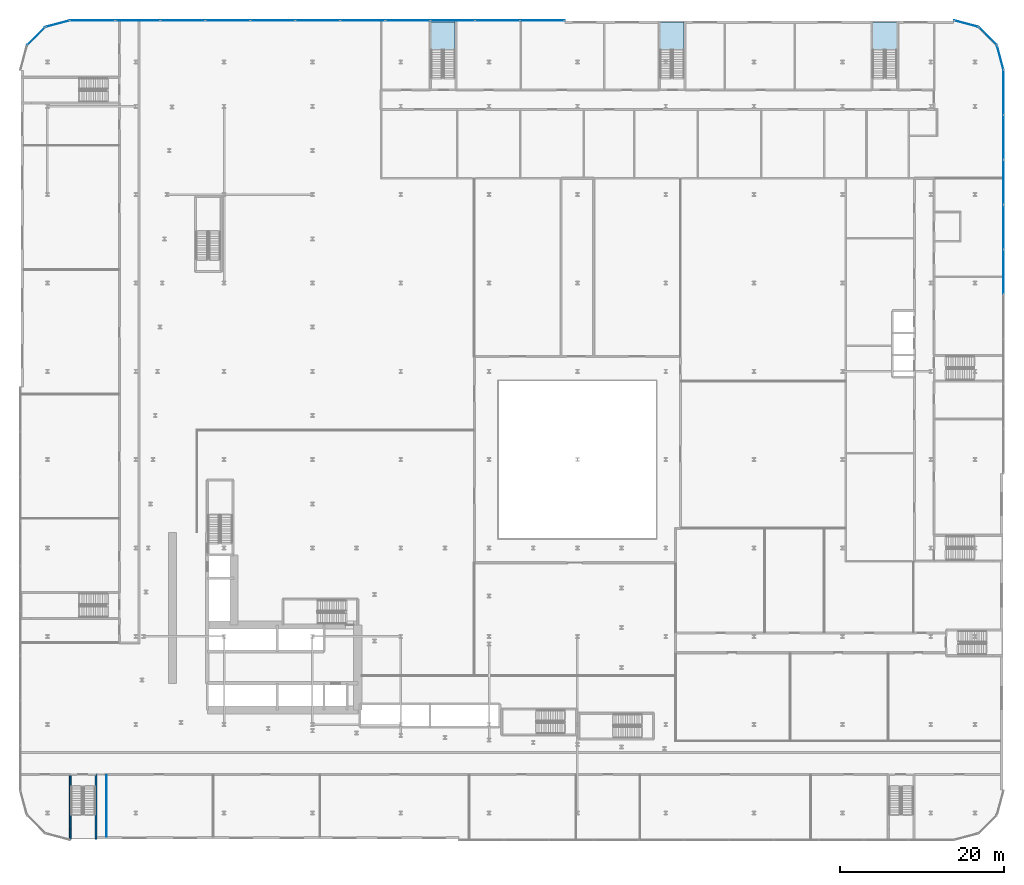
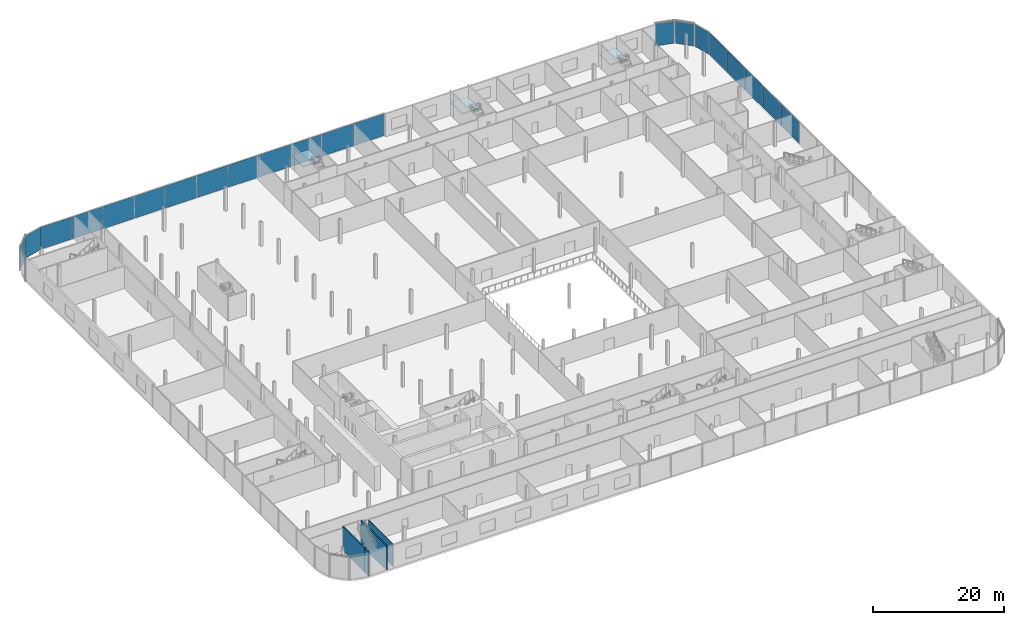
# One storey, part 25 of 47: 21 plates, 4 walls, 3 slabs, 10 elements without a shape of their own.
"""IFC4 building model written with IfcOpenShell, lengths in metres."""

from ifc_helpers import new_model, si_unit, direction, frame, frame_2d, origin, origin_2d, place, context, subcontext, project, spatial, polyline, rectangle, outline, extrude, material, layer, layer_set, type_object, element, aggregate, save


model = new_model("IFC4")

# Units and contexts
model_context = context("Model", 3, precision=1e-05, world=origin(), true_north=direction((0.0, 1.0)))
body_context = subcontext(model_context, "Body", "Model", "MODEL_VIEW")
ifc_project = project(units=[si_unit("LENGTHUNIT", "METRE"), si_unit("AREAUNIT", "SQUARE_METRE"), si_unit("VOLUMEUNIT", "CUBIC_METRE"), si_unit("PLANEANGLEUNIT", "RADIAN"), si_unit("MASSUNIT", "GRAM", prefix="KILO")], contexts=[model_context])

# Site, building, storey
site_placement = place(None, origin())
site = spatial("IfcSite", under=ifc_project, at=site_placement, CompositionType="ELEMENT")
building_placement = place(site_placement, origin())
building = spatial("IfcBuilding", under=site, at=building_placement, Name="Kheshtan School and Residences Tower", CompositionType="ELEMENT")
storey_placement = place(building_placement, frame((0.0, 0.0, 12.5)))
storey = spatial("IfcBuildingStorey", under=building, at=storey_placement, Name="L02", CompositionType="ELEMENT", Elevation=12.5)

# Curtain wall, plate
ifc_material_1 = material(Name="Clear low-e glass in thermally broken aluminium frame", Category="aluminium")
ifc_layer_1 = layer(ifc_material_1, 0.22509765625)
ifc_layer_set_1 = layer_set([ifc_layer_1], Name="Curtain wall CW-P")
curtain_wall_type = type_object("IfcCurtainWallType", Name="Curtain wall CW-P", PredefinedType="NOTDEFINED", material=ifc_layer_set_1)
curtain_wall_1_placement = place(storey_placement, origin())
curtain_wall_1 = element("IfcCurtainWall", 1, at=curtain_wall_1_placement, inside=storey, type_object=curtain_wall_type, Name="Curtain wall CWP2a", PredefinedType="NOTDEFINED")
ifc_layer_2 = layer(ifc_material_1, 0.035888671875)
ifc_layer_set_2 = layer_set([ifc_layer_2], Name="CW-P glass panel")
plate_type = type_object("IfcPlateType", Name="CW-P glass panel", PredefinedType="CURTAIN_PANEL", material=ifc_layer_set_2)
plate_1_placement = place(storey_placement, frame((13.831298828125, 108.168701171875, 0.0), z_axis=(0.0, 0.0, 1.0), x_axis=(0.707106781187, 0.707106781187, 0.0)))
plate_1 = element("IfcPlate", 2, at=plate_1_placement, type_object=plate_type, Name="CWP2a panel 1.1", PredefinedType="CURTAIN_PANEL", context=body_context, shape_type="SweptSolid", body=[
    extrude(rectangle(XDim=2.985595703125, YDim=0.035888671875, at=origin_2d()), origin(), (0.0, 0.0, 1.0), 4.110107421875),
])
aggregate(curtain_wall_1, [plate_1])

curtain_wall_2_placement = place(storey_placement, origin())
curtain_wall_2 = element("IfcCurtainWall", 3, at=curtain_wall_2_placement, inside=storey, type_object=curtain_wall_type, Name="Curtain wall CWP3a", PredefinedType="NOTDEFINED")
plate_2_placement = place(storey_placement, frame((16.47412109375, 109.694580078125, 0.0), z_axis=(0.0, 0.0, 1.0), x_axis=(0.965913556273, 0.258864833085, 0.0)))
plate_2 = element("IfcPlate", 4, at=plate_2_placement, type_object=plate_type, Name="CWP3a panel 1.1", PredefinedType="CURTAIN_PANEL", context=body_context, shape_type="SweptSolid", body=[
    extrude(rectangle(XDim=2.98583984375, YDim=0.035888671875, at=origin_2d()), origin(), (0.0, 0.0, 1.0), 4.110107421875),
])
aggregate(curtain_wall_2, [plate_2])

# Curtain wall, plates
curtain_wall_3_placement = place(storey_placement, origin())
curtain_wall_3 = element("IfcCurtainWall", 5, at=curtain_wall_3_placement, inside=storey, type_object=curtain_wall_type, Name="Curtain wall CWP4a", PredefinedType="NOTDEFINED")
plate_3_placement = place(storey_placement, frame((20.7216796875, 110.10009765625, 0.0), z_axis=(0.0, 0.0, 1.0), x_axis=(1.0, 0.0, 0.0)))
plate_3 = element("IfcPlate", 6, at=plate_3_placement, type_object=plate_type, Name="CWP4a panel 1.1", PredefinedType="CURTAIN_PANEL", context=body_context, shape_type="SweptSolid", body=[
    extrude(rectangle(XDim=5.4931640625, YDim=0.035888671875, at=origin_2d()), origin(), (0.0, 0.0, 1.0), 4.110107421875),
])
plate_4_placement = place(storey_placement, frame((26.247314453125, 110.10009765625, 0.0), z_axis=(0.0, 0.0, 1.0), x_axis=(1.0, 0.0, 0.0)))
plate_4 = element("IfcPlate", 7, at=plate_4_placement, type_object=plate_type, Name="CWP4a panel 2.1", PredefinedType="CURTAIN_PANEL", context=body_context, shape_type="SweptSolid", body=[
    extrude(rectangle(XDim=5.438232421875, YDim=0.035888671875, at=origin_2d()), origin(), (0.0, 0.0, 1.0), 4.110107421875),
])
plate_5_placement = place(storey_placement, frame((31.745361328125, 110.10009765625, 0.0), z_axis=(0.0, 0.0, 1.0), x_axis=(1.0, 0.0, 0.0)))
plate_5 = element("IfcPlate", 8, at=plate_5_placement, type_object=plate_type, Name="CWP4a panel 3.1", PredefinedType="CURTAIN_PANEL", context=body_context, shape_type="SweptSolid", body=[
    extrude(rectangle(XDim=5.438232421875, YDim=0.035888671875, at=origin_2d()), origin(), (0.0, 0.0, 1.0), 4.110107421875),
])
plate_6_placement = place(storey_placement, frame((37.24365234375, 110.10009765625, 0.0), z_axis=(0.0, 0.0, 1.0), x_axis=(1.0, 0.0, 0.0)))
plate_6 = element("IfcPlate", 9, at=plate_6_placement, type_object=plate_type, Name="CWP4a panel 4.1", PredefinedType="CURTAIN_PANEL", context=body_context, shape_type="SweptSolid", body=[
    extrude(rectangle(XDim=5.438232421875, YDim=0.035888671875, at=origin_2d()), origin(), (0.0, 0.0, 1.0), 4.110107421875),
])
plate_7_placement = place(storey_placement, frame((42.74169921875, 110.10009765625, 0.0), z_axis=(0.0, 0.0, 1.0), x_axis=(1.0, 0.0, 0.0)))
plate_7 = element("IfcPlate", 10, at=plate_7_placement, type_object=plate_type, Name="CWP4a panel 5.1", PredefinedType="CURTAIN_PANEL", context=body_context, shape_type="SweptSolid", body=[
    extrude(rectangle(XDim=5.438232421875, YDim=0.035888671875, at=origin_2d()), origin(), (0.0, 0.0, 1.0), 4.110107421875),
])
plate_8_placement = place(storey_placement, frame((48.239990234375, 110.10009765625, 0.0), z_axis=(0.0, 0.0, 1.0), x_axis=(1.0, 0.0, 0.0)))
plate_8 = element("IfcPlate", 11, at=plate_8_placement, type_object=plate_type, Name="CWP4a panel 6.1", PredefinedType="CURTAIN_PANEL", context=body_context, shape_type="SweptSolid", body=[
    extrude(rectangle(XDim=5.438232421875, YDim=0.035888671875, at=origin_2d()), origin(), (0.0, 0.0, 1.0), 4.110107421875),
])
plate_9_placement = place(storey_placement, frame((53.73828125, 110.10009765625, 0.0), z_axis=(0.0, 0.0, 1.0), x_axis=(1.0, 0.0, 0.0)))
plate_9 = element("IfcPlate", 12, at=plate_9_placement, type_object=plate_type, Name="CWP4a panel 7.1", PredefinedType="CURTAIN_PANEL", context=body_context, shape_type="SweptSolid", body=[
    extrude(rectangle(XDim=5.438232421875, YDim=0.035888671875, at=origin_2d()), origin(), (0.0, 0.0, 1.0), 4.110107421875),
])
plate_10_placement = place(storey_placement, frame((59.236328125, 110.10009765625, 0.0), z_axis=(0.0, 0.0, 1.0), x_axis=(1.0, 0.0, 0.0)))
plate_10 = element("IfcPlate", 13, at=plate_10_placement, type_object=plate_type, Name="CWP4a panel 8.1", PredefinedType="CURTAIN_PANEL", context=body_context, shape_type="SweptSolid", body=[
    extrude(rectangle(XDim=5.438232421875, YDim=0.035888671875, at=origin_2d()), origin(), (0.0, 0.0, 1.0), 4.110107421875),
])
plate_11_placement = place(storey_placement, frame((64.734619140625, 110.10009765625, 0.0), z_axis=(0.0, 0.0, 1.0), x_axis=(1.0, 0.0, 0.0)))
plate_11 = element("IfcPlate", 14, at=plate_11_placement, type_object=plate_type, Name="CWP4a panel 9.1", PredefinedType="CURTAIN_PANEL", context=body_context, shape_type="SweptSolid", body=[
    extrude(rectangle(XDim=5.438232421875, YDim=0.035888671875, at=origin_2d()), origin(), (0.0, 0.0, 1.0), 4.110107421875),
])
plate_12_placement = place(storey_placement, frame((70.232666015625, 110.10009765625, 0.0), z_axis=(0.0, 0.0, 1.0), x_axis=(1.0, 0.0, 0.0)))
plate_12 = element("IfcPlate", 15, at=plate_12_placement, type_object=plate_type, Name="CWP4a panel 10.1", PredefinedType="CURTAIN_PANEL", context=body_context, shape_type="SweptSolid", body=[
    extrude(rectangle(XDim=5.438232421875, YDim=0.035888671875, at=origin_2d()), origin(), (0.0, 0.0, 1.0), 4.110107421875),
])
plate_13_placement = place(storey_placement, frame((75.7158203125, 110.10009765625, 0.0), z_axis=(0.0, 0.0, 1.0), x_axis=(1.0, 0.0, 0.0)))
plate_13 = element("IfcPlate", 16, at=plate_13_placement, type_object=plate_type, Name="CWP4a panel 11.1", PredefinedType="CURTAIN_PANEL", context=body_context, shape_type="SweptSolid", body=[
    extrude(rectangle(XDim=5.408203125, YDim=0.035888671875, at=origin_2d()), origin(), (0.0, 0.0, 1.0), 4.110107421875),
])
aggregate(curtain_wall_3, [plate_3, plate_4, plate_5, plate_6, plate_7, plate_8, plate_9, plate_10, plate_11, plate_12, plate_13])

# Curtain wall, plate
curtain_wall_4_placement = place(storey_placement, origin())
curtain_wall_4 = element("IfcCurtainWall", 17, at=curtain_wall_4_placement, inside=storey, type_object=curtain_wall_type, Name="Curtain wall CWP5a", PredefinedType="NOTDEFINED")
plate_14_placement = place(storey_placement, frame((127.52587890625, 109.694580078125, 0.0), z_axis=(0.0, 0.0, 1.0), x_axis=(0.965913556273, -0.258864833085, 0.0)))
plate_14 = element("IfcPlate", 18, at=plate_14_placement, type_object=plate_type, Name="CWP5a panel 1.1", PredefinedType="CURTAIN_PANEL", context=body_context, shape_type="SweptSolid", body=[
    extrude(rectangle(XDim=2.98583984375, YDim=0.035888671875, at=origin_2d()), origin(), (0.0, 0.0, 1.0), 4.110107421875),
])
aggregate(curtain_wall_4, [plate_14])

curtain_wall_5_placement = place(storey_placement, origin())
curtain_wall_5 = element("IfcCurtainWall", 19, at=curtain_wall_5_placement, inside=storey, type_object=curtain_wall_type, Name="Curtain wall CWP6a", PredefinedType="NOTDEFINED")
plate_15_placement = place(storey_placement, frame((130.168701171875, 108.168701171875, 0.0), z_axis=(0.0, 0.0, 1.0), x_axis=(0.707106781187, -0.707106781187, 0.0)))
plate_15 = element("IfcPlate", 20, at=plate_15_placement, type_object=plate_type, Name="CWP6a panel 1.1", PredefinedType="CURTAIN_PANEL", context=body_context, shape_type="SweptSolid", body=[
    extrude(rectangle(XDim=2.985595703125, YDim=0.035888671875, at=origin_2d()), origin(), (0.0, 0.0, 1.0), 4.110107421875),
])
aggregate(curtain_wall_5, [plate_15])

curtain_wall_6_placement = place(storey_placement, origin())
curtain_wall_6 = element("IfcCurtainWall", 21, at=curtain_wall_6_placement, inside=storey, type_object=curtain_wall_type, Name="Curtain wall CWP7a", PredefinedType="NOTDEFINED")
plate_16_placement = place(storey_placement, frame((131.694580078125, 105.52587890625, 0.0), z_axis=(0.0, 0.0, 1.0), x_axis=(0.258864833085, -0.965913556273, 0.0)))
plate_16 = element("IfcPlate", 22, at=plate_16_placement, type_object=plate_type, Name="CWP7a panel 1.1", PredefinedType="CURTAIN_PANEL", context=body_context, shape_type="SweptSolid", body=[
    extrude(rectangle(XDim=2.98583984375, YDim=0.035888671875, at=origin_2d()), origin(), (0.0, 0.0, 1.0), 4.110107421875),
])
aggregate(curtain_wall_6, [plate_16])

# Curtain wall, plates
curtain_wall_7_placement = place(storey_placement, origin())
curtain_wall_7 = element("IfcCurtainWall", 23, at=curtain_wall_7_placement, inside=storey, type_object=curtain_wall_type, Name="Curtain wall CWP8a", PredefinedType="NOTDEFINED")
plate_17_placement = place(storey_placement, frame((132.10009765625, 101.28955078125, 0.0), z_axis=(0.0, 0.0, 1.0), x_axis=(0.0, -1.0, 0.0)))
plate_17 = element("IfcPlate", 24, at=plate_17_placement, type_object=plate_type, Name="CWP8a panel 1.1", PredefinedType="CURTAIN_PANEL", context=body_context, shape_type="SweptSolid", body=[
    extrude(rectangle(XDim=5.470458984375, YDim=0.035888671875, at=origin_2d()), origin(), (0.0, 0.0, 1.0), 4.110107421875),
])
plate_18_placement = place(storey_placement, frame((132.10009765625, 95.78662109375, 0.0), z_axis=(0.0, 0.0, 1.0), x_axis=(0.0, -1.0, 0.0)))
plate_18 = element("IfcPlate", 25, at=plate_18_placement, type_object=plate_type, Name="CWP8a panel 2.1", PredefinedType="CURTAIN_PANEL", context=body_context, shape_type="SweptSolid", body=[
    extrude(rectangle(XDim=5.41552734375, YDim=0.035888671875, at=origin_2d()), origin(), (0.0, 0.0, 1.0), 4.110107421875),
])
plate_19_placement = place(storey_placement, frame((132.10009765625, 90.31103515625, 0.0), z_axis=(0.0, 0.0, 1.0), x_axis=(0.0, -1.0, 0.0)))
plate_19 = element("IfcPlate", 26, at=plate_19_placement, type_object=plate_type, Name="CWP8a panel 3.1", PredefinedType="CURTAIN_PANEL", context=body_context, shape_type="SweptSolid", body=[
    extrude(rectangle(XDim=5.41552734375, YDim=0.035888671875, at=origin_2d()), origin(), (0.0, 0.0, 1.0), 4.110107421875),
])
plate_20_placement = place(storey_placement, frame((132.10009765625, 84.83544921875, 0.0), z_axis=(0.0, 0.0, 1.0), x_axis=(0.0, -1.0, 0.0)))
plate_20 = element("IfcPlate", 27, at=plate_20_placement, type_object=plate_type, Name="CWP8a panel 4.1", PredefinedType="CURTAIN_PANEL", context=body_context, shape_type="SweptSolid", body=[
    extrude(rectangle(XDim=5.41552734375, YDim=0.035888671875, at=origin_2d()), origin(), (0.0, 0.0, 1.0), 4.110107421875),
])
plate_21_placement = place(storey_placement, frame((132.10009765625, 79.360107421875, 0.0), z_axis=(0.0, 0.0, 1.0), x_axis=(0.0, -1.0, 0.0)))
plate_21 = element("IfcPlate", 28, at=plate_21_placement, type_object=plate_type, Name="CWP8a panel 5.1", PredefinedType="CURTAIN_PANEL", context=body_context, shape_type="SweptSolid", body=[
    extrude(rectangle(XDim=5.41552734375, YDim=0.035888671875, at=origin_2d()), origin(), (0.0, 0.0, 1.0), 4.110107421875),
])
aggregate(curtain_wall_7, [plate_17, plate_18, plate_19, plate_20, plate_21])

# Stair, slab
ifc_material_2 = material(Name="Concrete C40/50", Category="concrete")
stair_type = type_object("IfcStairType", Name="Exit stair, half-turn", PredefinedType="HALF_TURN_STAIR", material=ifc_material_2)
stair_1_placement = place(storey_placement, origin())
stair_1 = element("IfcStair", 29, at=stair_1_placement, inside=storey, type_object=stair_type, Name="L02 School Exit Stair 062-102", PredefinedType="HALF_TURN_STAIR")
ifc_layer_3 = layer(ifc_material_2, 0.199951171875)
ifc_layer_set_3 = layer_set([ifc_layer_3], Name="Stair landing 200 Concrete C40/50")
slab_type = type_object("IfcSlabType", Name="Stair landing 200 Concrete C40/50", PredefinedType="LANDING", material=ifc_layer_set_3)
slab_1_placement = place(storey_placement, frame((0.0, 0.0, 2.050048828125)))
slab_1 = element("IfcSlab", 30, at=slab_1_placement, type_object=slab_type, Name="PS-062-102 landing 1", PredefinedType="LANDING", context=body_context, shape_type="SweptSolid", body=[
    extrude(outline(polyline([(65.050048828125, 106.4599609375), (65.050048828125, 109.89990234375), (62.10009765625, 109.89990234375), (62.10009765625, 106.4599609375), (65.050048828125, 106.4599609375)])), origin(), (0.0, 0.0, 1.0), 0.199951171875),
])
aggregate(stair_1, [slab_1])

stair_2_placement = place(storey_placement, origin())
stair_2 = element("IfcStair", 31, at=stair_2_placement, inside=storey, type_object=stair_type, Name="L02 School Exit Stair 090-102", PredefinedType="HALF_TURN_STAIR")
slab_2_placement = place(storey_placement, frame((0.0, 0.0, 2.050048828125)))
slab_2 = element("IfcSlab", 32, at=slab_2_placement, type_object=slab_type, Name="PS-090-102 landing 1", PredefinedType="LANDING", context=body_context, shape_type="SweptSolid", body=[
    extrude(outline(polyline([(93.050048828125, 106.4599609375), (93.050048828125, 109.89990234375), (90.10009765625, 109.89990234375), (90.10009765625, 106.4599609375), (93.050048828125, 106.4599609375)])), origin(), (0.0, 0.0, 1.0), 0.199951171875),
])
aggregate(stair_2, [slab_2])

stair_3_placement = place(storey_placement, origin())
stair_3 = element("IfcStair", 33, at=stair_3_placement, inside=storey, type_object=stair_type, Name="L02 School Exit Stair 116-102", PredefinedType="HALF_TURN_STAIR")
slab_3_placement = place(storey_placement, frame((0.0, 0.0, 2.050048828125)))
slab_3 = element("IfcSlab", 34, at=slab_3_placement, type_object=slab_type, Name="PS-116-102 landing 1", PredefinedType="LANDING", context=body_context, shape_type="SweptSolid", body=[
    extrude(outline(polyline([(119.050048828125, 106.4599609375), (119.050048828125, 109.89990234375), (116.10009765625, 109.89990234375), (116.10009765625, 106.4599609375), (119.050048828125, 106.4599609375)])), origin(), (0.0, 0.0, 1.0), 0.199951171875),
])
aggregate(stair_3, [slab_3])

# Walls
ifc_material_3 = material(Name="Gypsum board on steel studs", Category="steel")
ifc_layer_4 = layer(ifc_material_3, 0.10009765625)
ifc_layer_set_4 = layer_set([ifc_layer_4], Name="Gypsum partition 100")
wall_type_1 = type_object("IfcWallType", Name="Gypsum partition 100", PredefinedType="PARTITIONING", material=ifc_layer_set_4)
wall_1_placement = place(storey_placement, frame((22.43505859375, 10.299072265625, 0.0), z_axis=(0.0, 0.0, 1.0), x_axis=(0.0, 1.0, 0.0)))
element("IfcWall", 35, at=wall_1_placement, inside=storey, type_object=wall_type_1, Name="Partition L02-009", PredefinedType="PARTITIONING", context=body_context, shape_type="SweptSolid", body=[
    extrude(rectangle(XDim=7.5009765625, YDim=0.10009765625, at=frame_2d((3.75048828125, 0.0))), origin(), (0.0, 0.0, 1.0), 4.179931640625),
])
ifc_layer_5 = layer(ifc_material_2, 0.199951171875)
ifc_layer_set_5 = layer_set([ifc_layer_5], Name="Stair enclosure wall 200 Concrete C40/50")
wall_type_2 = type_object("IfcWallType", Name="Stair enclosure wall 200 Concrete C40/50", PredefinedType="SHEAR", material=ifc_layer_set_5)
wall_2_placement = place(storey_placement, frame((18.0, 10.0, 0.0), z_axis=(0.0, 0.0, 1.0), x_axis=(0.0, 1.0, 0.0)))
element("IfcWall", 36, at=wall_2_placement, inside=storey, type_object=wall_type_2, Name="Stair enclosure wall", PredefinedType="SHEAR", context=body_context, shape_type="SweptSolid", body=[
    extrude(rectangle(XDim=1.199951171875, YDim=0.199951171875, at=frame_2d((0.60009765625, 0.0))), origin(), (0.0, 0.0, 1.0), 4.5),
])
wall_3_placement = place(storey_placement, frame((18.0, 11.199951171875, 0.0), z_axis=(0.0, 0.0, 1.0), x_axis=(0.0, 1.0, 0.0)))
element("IfcWall", 37, at=wall_3_placement, inside=storey, type_object=wall_type_2, Name="Stair enclosure wall", PredefinedType="SHEAR", context=body_context, shape_type="SweptSolid", body=[
    extrude(rectangle(XDim=6.699951171875, YDim=0.199951171875, at=frame_2d((3.35009765625, 0.0))), origin(), (0.0, 0.0, 1.0), 4.5),
])
wall_4_placement = place(storey_placement, frame((21.14990234375, 10.0, 0.0), z_axis=(0.0, 0.0, 1.0), x_axis=(0.0, 1.0, 0.0)))
element("IfcWall", 38, at=wall_4_placement, inside=storey, type_object=wall_type_2, Name="Stair enclosure wall", PredefinedType="SHEAR", context=body_context, shape_type="SweptSolid", body=[
    extrude(rectangle(XDim=7.89990234375, YDim=0.199951171875, at=frame_2d((3.949951171875, 0.0))), origin(), (0.0, 0.0, 1.0), 4.5),
])

save(model, "model.ifc")
